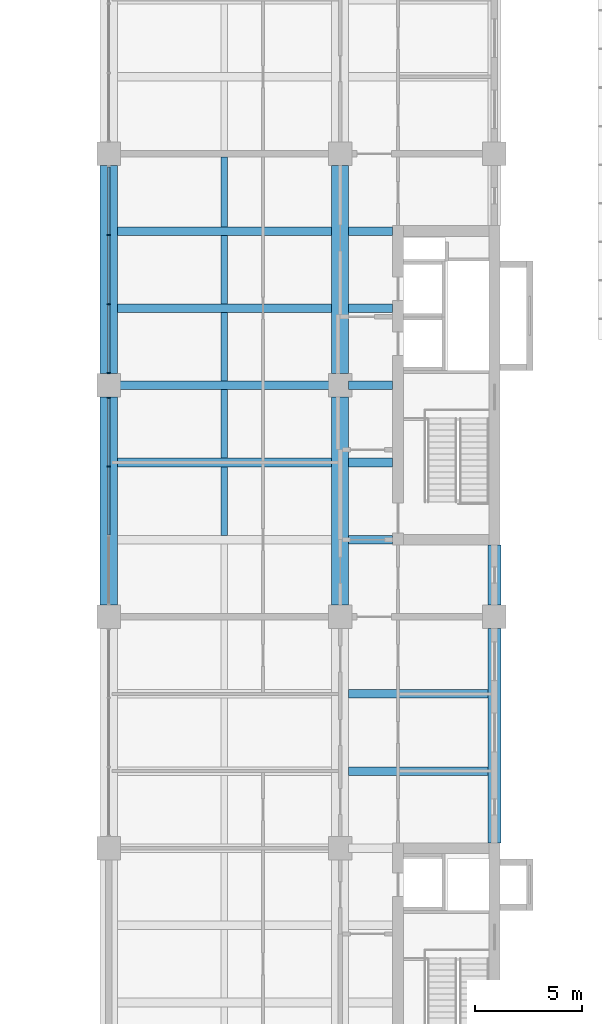
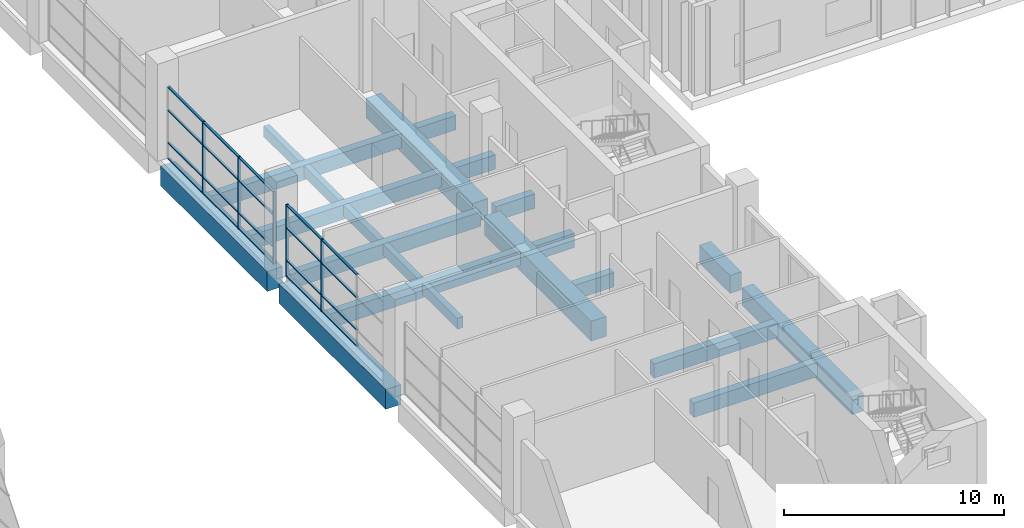
# One storey, part 7 of 32: 25 members, 22 beams, 2 elements without a shape of their own.
"""IFC4 building model written with IfcOpenShell, lengths in metres."""

from ifc_helpers import new_model, si_unit, direction, frame, origin, origin_2d, place, context, subcontext, project, spatial, rectangle, extrude, material, layer, layer_set, material_profile, profile_set, type_object, element, aggregate, save


model = new_model("IFC4")

# Units and contexts
model_context = context("Model", 3, precision=1e-05, world=origin(), true_north=direction((0.0, 1.0)))
body_context = subcontext(model_context, "Body", "Model", "MODEL_VIEW")
ifc_project = project(units=[si_unit("LENGTHUNIT", "METRE"), si_unit("AREAUNIT", "SQUARE_METRE"), si_unit("VOLUMEUNIT", "CUBIC_METRE"), si_unit("PLANEANGLEUNIT", "RADIAN"), si_unit("MASSUNIT", "GRAM", prefix="KILO")], contexts=[model_context])

# Site, building, storey
site_placement = place(None, origin())
site = spatial("IfcSite", under=ifc_project, at=site_placement, CompositionType="ELEMENT")
building_placement = place(site_placement, origin())
building = spatial("IfcBuilding", under=site, at=building_placement, Name="Basin Gate Institute", CompositionType="ELEMENT")
storey_placement = place(building_placement, frame((0.0, 0.0, 11.39990234375)))
storey = spatial("IfcBuildingStorey", under=building, at=storey_placement, Name="L02", CompositionType="ELEMENT", Elevation=11.39990234375)

# Beams
ifc_material_1 = material(Name="Concrete 40 MPa", Category="concrete")
ifc_material_profile_1 = material_profile(ifc_material_1, rectangle(XDim=0.39990234375, YDim=0.800048828125, at=origin_2d()), Name="Beam B2 400 x 800")
ifc_profile_set_1 = profile_set([ifc_material_profile_1], Name="Concrete 40 MPa")
beam_type_1 = type_object("IfcBeamType", Name="Beam B2 R180", PredefinedType="BEAM", material=ifc_profile_set_1)
for number, where, z_axis, x_axis, name in (
    (1, (118.5, 49.5, -0.699951171875), (-1.0, 0.0, 0.0), (0.0, -1.0, 0.0), "BEAM/L02/E/OUT/05"),
    (2, (118.5, 53.10009765625, -0.699951171875), (-1.0, 0.0, 0.0), (0.0, -1.0, 0.0), "BEAM/L02/E/OUT/06"),
):
    element("IfcBeam", number, at=place(storey_placement, frame(where, z_axis=z_axis, x_axis=x_axis)), inside=storey, type_object=beam_type_1, material=ifc_profile_set_1, Name=name, PredefinedType="BEAM", context=body_context, shape_type="SweptSolid", body=[
        extrude(rectangle(XDim=0.39990234375, YDim=0.800048828125, at=origin_2d()), origin(), (0.0, 0.0, 1.0), 6.5),
    ])
beam_1_placement = place(storey_placement, frame((114.050048828125, 60.300048828125, -0.699951171875), z_axis=(-1.0, 0.0, 0.0), x_axis=(0.0, -1.0, 0.0)))
element("IfcBeam", 3, at=beam_1_placement, inside=storey, type_object=beam_type_1, material=ifc_profile_set_1, Name="BEAM/L02/E/CORR/08", PredefinedType="BEAM", context=body_context, shape_type="SweptSolid", body=[
    extrude(rectangle(XDim=0.39990234375, YDim=0.800048828125, at=origin_2d()), origin(), (0.0, 0.0, 1.0), 2.050048828125),
])
beam_2_placement = place(storey_placement, frame((111.199951171875, 63.89990234375, -0.699951171875), z_axis=(-1.0, 0.0, 0.0), x_axis=(0.0, -1.0, 0.0)))
element("IfcBeam", 4, at=beam_2_placement, inside=storey, type_object=beam_type_1, material=ifc_profile_set_1, Name="BEAM/L02/E/EW/09", PredefinedType="BEAM", context=body_context, shape_type="SweptSolid", body=[
    extrude(rectangle(XDim=0.39990234375, YDim=0.800048828125, at=origin_2d()), origin(), (0.0, 0.0, 1.0), 10.0),
])
beam_3_placement = place(storey_placement, frame((114.050048828125, 63.89990234375, -0.699951171875), z_axis=(-1.0, 0.0, 0.0), x_axis=(0.0, -1.0, 0.0)))
element("IfcBeam", 5, at=beam_3_placement, inside=storey, type_object=beam_type_1, material=ifc_profile_set_1, Name="BEAM/L02/E/CORR/09", PredefinedType="BEAM", context=body_context, shape_type="SweptSolid", body=[
    extrude(rectangle(XDim=0.39990234375, YDim=0.800048828125, at=origin_2d()), origin(), (0.0, 0.0, 1.0), 2.050048828125),
])
beam_4_placement = place(storey_placement, frame((111.199951171875, 67.5, -0.699951171875), z_axis=(-1.0, 0.0, 0.0), x_axis=(0.0, -1.0, 0.0)))
element("IfcBeam", 6, at=beam_4_placement, inside=storey, type_object=beam_type_1, material=ifc_profile_set_1, Name="BEAM/L02/E/EW/10", PredefinedType="BEAM", context=body_context, shape_type="SweptSolid", body=[
    extrude(rectangle(XDim=0.39990234375, YDim=0.800048828125, at=origin_2d()), origin(), (0.0, 0.0, 1.0), 10.0),
])
beam_5_placement = place(storey_placement, frame((114.050048828125, 67.5, -0.699951171875), z_axis=(-1.0, 0.0, 0.0), x_axis=(0.0, -1.0, 0.0)))
element("IfcBeam", 7, at=beam_5_placement, inside=storey, type_object=beam_type_1, material=ifc_profile_set_1, Name="BEAM/L02/E/CORR/10", PredefinedType="BEAM", context=body_context, shape_type="SweptSolid", body=[
    extrude(rectangle(XDim=0.39990234375, YDim=0.800048828125, at=origin_2d()), origin(), (0.0, 0.0, 1.0), 2.050048828125),
])
beam_6_placement = place(storey_placement, frame((111.199951171875, 71.10009765625, -0.699951171875), z_axis=(-1.0, 0.0, 0.0), x_axis=(0.0, -1.0, 0.0)))
element("IfcBeam", 8, at=beam_6_placement, inside=storey, type_object=beam_type_1, material=ifc_profile_set_1, Name="BEAM/L02/E/EW/11", PredefinedType="BEAM", context=body_context, shape_type="SweptSolid", body=[
    extrude(rectangle(XDim=0.39990234375, YDim=0.800048828125, at=origin_2d()), origin(), (0.0, 0.0, 1.0), 10.0),
])
beam_7_placement = place(storey_placement, frame((114.050048828125, 71.10009765625, -0.699951171875), z_axis=(-1.0, 0.0, 0.0), x_axis=(0.0, -1.0, 0.0)))
element("IfcBeam", 9, at=beam_7_placement, inside=storey, type_object=beam_type_1, material=ifc_profile_set_1, Name="BEAM/L02/E/CORR/11", PredefinedType="BEAM", context=body_context, shape_type="SweptSolid", body=[
    extrude(rectangle(XDim=0.39990234375, YDim=0.800048828125, at=origin_2d()), origin(), (0.0, 0.0, 1.0), 2.050048828125),
])
beam_8_placement = place(storey_placement, frame((111.199951171875, 74.699951171875, -0.699951171875), z_axis=(-1.0, 0.0, 0.0), x_axis=(0.0, -1.0, 0.0)))
element("IfcBeam", 10, at=beam_8_placement, inside=storey, type_object=beam_type_1, material=ifc_profile_set_1, Name="BEAM/L02/E/EW/12", PredefinedType="BEAM", context=body_context, shape_type="SweptSolid", body=[
    extrude(rectangle(XDim=0.39990234375, YDim=0.800048828125, at=origin_2d()), origin(), (0.0, 0.0, 1.0), 10.0),
])
beam_9_placement = place(storey_placement, frame((114.050048828125, 74.699951171875, -0.699951171875), z_axis=(-1.0, 0.0, 0.0), x_axis=(0.0, -1.0, 0.0)))
element("IfcBeam", 11, at=beam_9_placement, inside=storey, type_object=beam_type_1, material=ifc_profile_set_1, Name="BEAM/L02/E/CORR/12", PredefinedType="BEAM", context=body_context, shape_type="SweptSolid", body=[
    extrude(rectangle(XDim=0.39990234375, YDim=0.800048828125, at=origin_2d()), origin(), (0.0, 0.0, 1.0), 2.050048828125),
])
ifc_material_2 = material(Name="Concrete 50 MPa", Category="concrete")
ifc_material_profile_2 = material_profile(ifc_material_2, rectangle(XDim=0.60009765625, YDim=1.0, at=origin_2d()), Name="Edge beam EB2 600 x 1000")
ifc_profile_set_2 = profile_set([ifc_material_profile_2], Name="Concrete 50 MPa")
beam_type_2 = type_object("IfcBeamType", Name="Edge beam EB2 R180", PredefinedType="SPANDREL", material=ifc_profile_set_2)
beam_10_placement = place(storey_placement, frame((118.800048828125, 46.14990234375, -0.7998046875), z_axis=(0.0, 1.0, 0.0), x_axis=(-1.0, 0.0, 0.0)))
element("IfcBeam", 12, at=beam_10_placement, inside=storey, type_object=beam_type_2, material=ifc_profile_set_2, Name="BEAM/L02/E/EDGE/1", PredefinedType="SPANDREL", context=body_context, shape_type="SweptSolid", body=[
    extrude(rectangle(XDim=0.60009765625, YDim=1.0, at=origin_2d()), origin(), (0.0, 0.0, 1.0), 10.0),
])
ifc_material_3 = material(Name="Concrete 50 MPa", Category="concrete")
ifc_material_profile_3 = material_profile(ifc_material_3, rectangle(XDim=0.60009765625, YDim=1.0, at=origin_2d()), Name="Edge return beam EB4 600 x 1000")
ifc_profile_set_3 = profile_set([ifc_material_profile_3], Name="Concrete 50 MPa")
beam_type_3 = type_object("IfcBeamType", Name="Edge return beam EB4 R180", PredefinedType="SPANDREL", material=ifc_profile_set_3)
beam_11_placement = place(storey_placement, frame((118.800048828125, 57.25, -0.7998046875), z_axis=(0.0, 1.0, 0.0), x_axis=(-1.0, 0.0, 0.0)))
element("IfcBeam", 13, at=beam_11_placement, inside=storey, type_object=beam_type_3, material=ifc_profile_set_3, Name="BEAM/L02/E/EDGE/2", PredefinedType="SPANDREL", context=body_context, shape_type="SweptSolid", body=[
    extrude(rectangle(XDim=0.60009765625, YDim=1.0, at=origin_2d()), origin(), (0.0, 0.0, 1.0), 2.800048828125),
])
ifc_material_4 = material(Name="Concrete 50 MPa", Category="concrete")
ifc_material_profile_4 = material_profile(ifc_material_4, rectangle(XDim=0.800048828125, YDim=1.10009765625, at=origin_2d()), Name="Girder G2 800 x 1100")
ifc_profile_set_4 = profile_set([ifc_material_profile_4], Name="Concrete 50 MPa")
beam_type_4 = type_object("IfcBeamType", Name="Girder G2 R180", PredefinedType="BEAM", material=ifc_profile_set_4)
for number, where, z_axis, x_axis, name in (
    (14, (111.60009765625, 57.25, -0.849853515625), (0.0, 1.0, 0.0), (-1.0, 0.0, 0.0), "GIR/L02/E8/3"),
    (15, (111.60009765625, 68.050048828125, -0.849853515625), (0.0, 1.0, 0.0), (-1.0, 0.0, 0.0), "GIR/L02/E8/4"),
    (16, (100.800048828125, 57.25, -0.849853515625), (0.0, 1.0, 0.0), (-1.0, 0.0, 0.0), "GIR/L02/E7/3"),
    (17, (100.800048828125, 68.050048828125, -0.849853515625), (0.0, 1.0, 0.0), (-1.0, 0.0, 0.0), "GIR/L02/E7/4"),
):
    element("IfcBeam", number, at=place(storey_placement, frame(where, z_axis=z_axis, x_axis=x_axis)), inside=storey, type_object=beam_type_4, material=ifc_profile_set_4, Name=name, PredefinedType="BEAM", context=body_context, shape_type="SweptSolid", body=[
        extrude(rectangle(XDim=0.800048828125, YDim=1.10009765625, at=origin_2d()), origin(), (0.0, 0.0, 1.0), 9.699951171875),
    ])

# Curtain wall, members
ifc_material_5 = material(Name="Fire-resistant glazing in steel-free frame", Category="steel")
ifc_layer = layer(ifc_material_5, 0.199951171875)
ifc_layer_set = layer_set([ifc_layer], Name="Fire-resistant glazing in steel-free frame")
curtain_wall_type = type_object("IfcCurtainWallType", Name="Atrium rated curtain wall CW3", PredefinedType="NOTDEFINED", material=ifc_layer_set)
curtain_wall_1_placement = place(storey_placement, origin())
curtain_wall_1 = element("IfcCurtainWall", 18, at=curtain_wall_1_placement, inside=storey, type_object=curtain_wall_type, material=ifc_layer_set, Name="Atrium rated curtain wall E wing atrium bay 3 L02", PredefinedType="NOTDEFINED")
ifc_material_6 = material(Name="Aluminium", Category="aluminium")
ifc_material_profile_5 = material_profile(ifc_material_6, rectangle(XDim=0.14990234375, YDim=0.06005859375, at=origin_2d()), Name="Mullion MU3 150 x 60")
ifc_profile_set_5 = profile_set([ifc_material_profile_5], Name="Aluminium")
member_type_1 = type_object("IfcMemberType", Name="Mullion MU3", PredefinedType="MULLION", material=ifc_profile_set_5)
member_1_placement = place(storey_placement, frame((100.800048828125, 63.716552734375, 0.0), z_axis=(0.0, 0.0, 1.0), x_axis=(-1.0, 0.0, 0.0)))
member_1 = element("IfcMember", 19, at=member_1_placement, type_object=member_type_1, material=ifc_profile_set_5, Name="CW3 mullion 3", PredefinedType="MULLION", context=body_context, shape_type="SweptSolid", body=[
    extrude(rectangle(XDim=0.14990234375, YDim=0.06005859375, at=origin_2d()), origin(), (0.0, 0.0, 1.0), 4.0),
])
member_2_placement = place(storey_placement, frame((100.800048828125, 66.919921875, 0.0), z_axis=(0.0, 0.0, 1.0), x_axis=(-1.0, 0.0, 0.0)))
member_2 = element("IfcMember", 20, at=member_2_placement, type_object=member_type_1, material=ifc_profile_set_5, Name="CW3 mullion 4", PredefinedType="MULLION", context=body_context, shape_type="SweptSolid", body=[
    extrude(rectangle(XDim=0.14990234375, YDim=0.06005859375, at=origin_2d()), origin(), (0.0, 0.0, 1.0), 4.0),
])

curtain_wall_2_placement = place(storey_placement, origin())
curtain_wall_2 = element("IfcCurtainWall", 21, at=curtain_wall_2_placement, inside=storey, type_object=curtain_wall_type, material=ifc_layer_set, Name="Atrium rated curtain wall E wing atrium bay 4 L02", PredefinedType="NOTDEFINED")
member_3_placement = place(storey_placement, frame((100.800048828125, 68.080078125, 0.0), z_axis=(0.0, 0.0, 1.0), x_axis=(-1.0, 0.0, 0.0)))
member_3 = element("IfcMember", 22, at=member_3_placement, type_object=member_type_1, material=ifc_profile_set_5, Name="CW3 mullion 1", PredefinedType="MULLION", context=body_context, shape_type="SweptSolid", body=[
    extrude(rectangle(XDim=0.14990234375, YDim=0.06005859375, at=origin_2d()), origin(), (0.0, 0.0, 1.0), 4.0),
])
member_4_placement = place(storey_placement, frame((100.800048828125, 71.283447265625, 0.0), z_axis=(0.0, 0.0, 1.0), x_axis=(-1.0, 0.0, 0.0)))
member_4 = element("IfcMember", 23, at=member_4_placement, type_object=member_type_1, material=ifc_profile_set_5, Name="CW3 mullion 2", PredefinedType="MULLION", context=body_context, shape_type="SweptSolid", body=[
    extrude(rectangle(XDim=0.14990234375, YDim=0.06005859375, at=origin_2d()), origin(), (0.0, 0.0, 1.0), 4.0),
])
member_5_placement = place(storey_placement, frame((100.800048828125, 74.5166015625, 0.0), z_axis=(0.0, 0.0, 1.0), x_axis=(-1.0, 0.0, 0.0)))
member_5 = element("IfcMember", 24, at=member_5_placement, type_object=member_type_1, material=ifc_profile_set_5, Name="CW3 mullion 3", PredefinedType="MULLION", context=body_context, shape_type="SweptSolid", body=[
    extrude(rectangle(XDim=0.14990234375, YDim=0.06005859375, at=origin_2d()), origin(), (0.0, 0.0, 1.0), 4.0),
])

# Beams
ifc_material_7 = material(Name="Concrete 40 MPa", Category="concrete")
ifc_material_profile_6 = material_profile(ifc_material_7, rectangle(XDim=0.300048828125, YDim=0.60009765625, at=origin_2d()), Name="Rib R2 300 x 600")
ifc_profile_set_6 = profile_set([ifc_material_profile_6], Name="Concrete 40 MPa")
beam_type_5 = type_object("IfcBeamType", Name="Rib R2 R180", PredefinedType="JOIST", material=ifc_profile_set_6)
for number, where, z_axis, x_axis, name in (
    (25, (106.199951171875, 60.5, -0.599853515625), (0.0, 1.0, 0.0), (-1.0, 0.0, 0.0), "BEAM/L02/E/RIB/08"),
    (26, (106.199951171875, 64.10009765625, -0.599853515625), (0.0, 1.0, 0.0), (-1.0, 0.0, 0.0), "BEAM/L02/E/RIB/09"),
    (27, (106.199951171875, 67.699951171875, -0.599853515625), (0.0, 1.0, 0.0), (-1.0, 0.0, 0.0), "BEAM/L02/E/RIB/10"),
    (28, (106.199951171875, 71.300048828125, -0.599853515625), (0.0, 1.0, 0.0), (-1.0, 0.0, 0.0), "BEAM/L02/E/RIB/11"),
):
    element("IfcBeam", number, at=place(storey_placement, frame(where, z_axis=z_axis, x_axis=x_axis)), inside=storey, type_object=beam_type_5, material=ifc_profile_set_6, Name=name, PredefinedType="JOIST", context=body_context, shape_type="SweptSolid", body=[
        extrude(rectangle(XDim=0.300048828125, YDim=0.60009765625, at=origin_2d()), origin(), (0.0, 0.0, 1.0), 3.199951171875),
    ])
beam_12_placement = place(storey_placement, frame((106.199951171875, 74.89990234375, -0.599853515625), z_axis=(0.0, 1.0, 0.0), x_axis=(-1.0, 0.0, 0.0)))
element("IfcBeam", 29, at=beam_12_placement, inside=storey, type_object=beam_type_5, material=ifc_profile_set_6, Name="BEAM/L02/E/RIB/12", PredefinedType="JOIST", context=body_context, shape_type="SweptSolid", body=[
    extrude(rectangle(XDim=0.300048828125, YDim=0.60009765625, at=origin_2d()), origin(), (0.0, 0.0, 1.0), 3.25),
])

# Member
ifc_material_8 = material(Name="Aluminium", Category="aluminium")
ifc_material_profile_7 = material_profile(ifc_material_8, rectangle(XDim=0.1201171875, YDim=0.06005859375, at=origin_2d()), Name="Transom TR3 120 x 60")
ifc_profile_set_7 = profile_set([ifc_material_profile_7], Name="Aluminium")
member_type_2 = type_object("IfcMemberType", Name="Transom TR3", PredefinedType="USERDEFINED", material=ifc_profile_set_7)
member_6_placement = place(storey_placement, frame((100.800048828125, 60.513427734375, 0.030029296875), z_axis=(0.0, 1.0, 0.0), x_axis=(-1.0, 0.0, 0.0)))
member_6 = element("IfcMember", 30, at=member_6_placement, type_object=member_type_2, material=ifc_profile_set_7, Name="CW3 transom 2.1", ObjectType="TRANSOM", PredefinedType="USERDEFINED", context=body_context, shape_type="SweptSolid", body=[
    extrude(rectangle(XDim=0.1201171875, YDim=0.06005859375, at=origin_2d()), origin(), (0.0, 0.0, 1.0), 3.17333984375),
])

member_7_placement = place(storey_placement, frame((100.800048828125, 60.513427734375, 0.900146484375), z_axis=(0.0, 1.0, 0.0), x_axis=(-1.0, 0.0, 0.0)))
member_7 = element("IfcMember", 31, at=member_7_placement, type_object=member_type_2, material=ifc_profile_set_7, Name="CW3 transom 2.2", ObjectType="TRANSOM", PredefinedType="USERDEFINED", context=body_context, shape_type="SweptSolid", body=[
    extrude(rectangle(XDim=0.1201171875, YDim=0.06005859375, at=origin_2d()), origin(), (0.0, 0.0, 1.0), 3.17333984375),
])

member_8_placement = place(storey_placement, frame((100.800048828125, 60.513427734375, 2.7001953125), z_axis=(0.0, 1.0, 0.0), x_axis=(-1.0, 0.0, 0.0)))
member_8 = element("IfcMember", 32, at=member_8_placement, type_object=member_type_2, material=ifc_profile_set_7, Name="CW3 transom 2.3", ObjectType="TRANSOM", PredefinedType="USERDEFINED", context=body_context, shape_type="SweptSolid", body=[
    extrude(rectangle(XDim=0.1201171875, YDim=0.06005859375, at=origin_2d()), origin(), (0.0, 0.0, 1.0), 3.17333984375),
])

member_9_placement = place(storey_placement, frame((100.800048828125, 60.513427734375, 3.97021484375), z_axis=(0.0, 1.0, 0.0), x_axis=(-1.0, 0.0, 0.0)))
member_9 = element("IfcMember", 33, at=member_9_placement, type_object=member_type_2, material=ifc_profile_set_7, Name="CW3 transom 2.4", ObjectType="TRANSOM", PredefinedType="USERDEFINED", context=body_context, shape_type="SweptSolid", body=[
    extrude(rectangle(XDim=0.1201171875, YDim=0.06005859375, at=origin_2d()), origin(), (0.0, 0.0, 1.0), 3.17333984375),
])

member_10_placement = place(storey_placement, frame((100.800048828125, 63.74658203125, 0.030029296875), z_axis=(0.0, 1.0, 0.0), x_axis=(-1.0, 0.0, 0.0)))
member_10 = element("IfcMember", 34, at=member_10_placement, type_object=member_type_2, material=ifc_profile_set_7, Name="CW3 transom 3.1", ObjectType="TRANSOM", PredefinedType="USERDEFINED", context=body_context, shape_type="SweptSolid", body=[
    extrude(rectangle(XDim=0.1201171875, YDim=0.06005859375, at=origin_2d()), origin(), (0.0, 0.0, 1.0), 3.143310546875),
])

member_11_placement = place(storey_placement, frame((100.800048828125, 63.74658203125, 0.900146484375), z_axis=(0.0, 1.0, 0.0), x_axis=(-1.0, 0.0, 0.0)))
member_11 = element("IfcMember", 35, at=member_11_placement, type_object=member_type_2, material=ifc_profile_set_7, Name="CW3 transom 3.2", ObjectType="TRANSOM", PredefinedType="USERDEFINED", context=body_context, shape_type="SweptSolid", body=[
    extrude(rectangle(XDim=0.1201171875, YDim=0.06005859375, at=origin_2d()), origin(), (0.0, 0.0, 1.0), 3.143310546875),
])

member_12_placement = place(storey_placement, frame((100.800048828125, 63.74658203125, 2.7001953125), z_axis=(0.0, 1.0, 0.0), x_axis=(-1.0, 0.0, 0.0)))
member_12 = element("IfcMember", 36, at=member_12_placement, type_object=member_type_2, material=ifc_profile_set_7, Name="CW3 transom 3.3", ObjectType="TRANSOM", PredefinedType="USERDEFINED", context=body_context, shape_type="SweptSolid", body=[
    extrude(rectangle(XDim=0.1201171875, YDim=0.06005859375, at=origin_2d()), origin(), (0.0, 0.0, 1.0), 3.143310546875),
])

member_13_placement = place(storey_placement, frame((100.800048828125, 63.74658203125, 3.97021484375), z_axis=(0.0, 1.0, 0.0), x_axis=(-1.0, 0.0, 0.0)))
member_13 = element("IfcMember", 37, at=member_13_placement, type_object=member_type_2, material=ifc_profile_set_7, Name="CW3 transom 3.4", ObjectType="TRANSOM", PredefinedType="USERDEFINED", context=body_context, shape_type="SweptSolid", body=[
    extrude(rectangle(XDim=0.1201171875, YDim=0.06005859375, at=origin_2d()), origin(), (0.0, 0.0, 1.0), 3.143310546875),
])

aggregate(curtain_wall_1, [member_1, member_2, member_6, member_7, member_8, member_9, member_10, member_11, member_12, member_13])

member_14_placement = place(storey_placement, frame((100.800048828125, 68.110107421875, 0.030029296875), z_axis=(0.0, 1.0, 0.0), x_axis=(-1.0, 0.0, 0.0)))
member_14 = element("IfcMember", 38, at=member_14_placement, type_object=member_type_2, material=ifc_profile_set_7, Name="CW3 transom 1.1", ObjectType="TRANSOM", PredefinedType="USERDEFINED", context=body_context, shape_type="SweptSolid", body=[
    extrude(rectangle(XDim=0.1201171875, YDim=0.06005859375, at=origin_2d()), origin(), (0.0, 0.0, 1.0), 3.143310546875),
])

member_15_placement = place(storey_placement, frame((100.800048828125, 68.110107421875, 0.900146484375), z_axis=(0.0, 1.0, 0.0), x_axis=(-1.0, 0.0, 0.0)))
member_15 = element("IfcMember", 39, at=member_15_placement, type_object=member_type_2, material=ifc_profile_set_7, Name="CW3 transom 1.2", ObjectType="TRANSOM", PredefinedType="USERDEFINED", context=body_context, shape_type="SweptSolid", body=[
    extrude(rectangle(XDim=0.1201171875, YDim=0.06005859375, at=origin_2d()), origin(), (0.0, 0.0, 1.0), 3.143310546875),
])

member_16_placement = place(storey_placement, frame((100.800048828125, 68.110107421875, 2.7001953125), z_axis=(0.0, 1.0, 0.0), x_axis=(-1.0, 0.0, 0.0)))
member_16 = element("IfcMember", 40, at=member_16_placement, type_object=member_type_2, material=ifc_profile_set_7, Name="CW3 transom 1.3", ObjectType="TRANSOM", PredefinedType="USERDEFINED", context=body_context, shape_type="SweptSolid", body=[
    extrude(rectangle(XDim=0.1201171875, YDim=0.06005859375, at=origin_2d()), origin(), (0.0, 0.0, 1.0), 3.143310546875),
])

member_17_placement = place(storey_placement, frame((100.800048828125, 68.110107421875, 3.97021484375), z_axis=(0.0, 1.0, 0.0), x_axis=(-1.0, 0.0, 0.0)))
member_17 = element("IfcMember", 41, at=member_17_placement, type_object=member_type_2, material=ifc_profile_set_7, Name="CW3 transom 1.4", ObjectType="TRANSOM", PredefinedType="USERDEFINED", context=body_context, shape_type="SweptSolid", body=[
    extrude(rectangle(XDim=0.1201171875, YDim=0.06005859375, at=origin_2d()), origin(), (0.0, 0.0, 1.0), 3.143310546875),
])

member_18_placement = place(storey_placement, frame((100.800048828125, 71.313232421875, 0.030029296875), z_axis=(0.0, 1.0, 0.0), x_axis=(-1.0, 0.0, 0.0)))
member_18 = element("IfcMember", 42, at=member_18_placement, type_object=member_type_2, material=ifc_profile_set_7, Name="CW3 transom 2.1", ObjectType="TRANSOM", PredefinedType="USERDEFINED", context=body_context, shape_type="SweptSolid", body=[
    extrude(rectangle(XDim=0.1201171875, YDim=0.06005859375, at=origin_2d()), origin(), (0.0, 0.0, 1.0), 3.17333984375),
])

member_19_placement = place(storey_placement, frame((100.800048828125, 71.313232421875, 0.900146484375), z_axis=(0.0, 1.0, 0.0), x_axis=(-1.0, 0.0, 0.0)))
member_19 = element("IfcMember", 43, at=member_19_placement, type_object=member_type_2, material=ifc_profile_set_7, Name="CW3 transom 2.2", ObjectType="TRANSOM", PredefinedType="USERDEFINED", context=body_context, shape_type="SweptSolid", body=[
    extrude(rectangle(XDim=0.1201171875, YDim=0.06005859375, at=origin_2d()), origin(), (0.0, 0.0, 1.0), 3.17333984375),
])

member_20_placement = place(storey_placement, frame((100.800048828125, 71.313232421875, 2.7001953125), z_axis=(0.0, 1.0, 0.0), x_axis=(-1.0, 0.0, 0.0)))
member_20 = element("IfcMember", 44, at=member_20_placement, type_object=member_type_2, material=ifc_profile_set_7, Name="CW3 transom 2.3", ObjectType="TRANSOM", PredefinedType="USERDEFINED", context=body_context, shape_type="SweptSolid", body=[
    extrude(rectangle(XDim=0.1201171875, YDim=0.06005859375, at=origin_2d()), origin(), (0.0, 0.0, 1.0), 3.17333984375),
])

member_21_placement = place(storey_placement, frame((100.800048828125, 71.313232421875, 3.97021484375), z_axis=(0.0, 1.0, 0.0), x_axis=(-1.0, 0.0, 0.0)))
member_21 = element("IfcMember", 45, at=member_21_placement, type_object=member_type_2, material=ifc_profile_set_7, Name="CW3 transom 2.4", ObjectType="TRANSOM", PredefinedType="USERDEFINED", context=body_context, shape_type="SweptSolid", body=[
    extrude(rectangle(XDim=0.1201171875, YDim=0.06005859375, at=origin_2d()), origin(), (0.0, 0.0, 1.0), 3.17333984375),
])

member_22_placement = place(storey_placement, frame((100.800048828125, 74.546630859375, 0.030029296875), z_axis=(0.0, 1.0, 0.0), x_axis=(-1.0, 0.0, 0.0)))
member_22 = element("IfcMember", 46, at=member_22_placement, type_object=member_type_2, material=ifc_profile_set_7, Name="CW3 transom 3.1", ObjectType="TRANSOM", PredefinedType="USERDEFINED", context=body_context, shape_type="SweptSolid", body=[
    extrude(rectangle(XDim=0.1201171875, YDim=0.06005859375, at=origin_2d()), origin(), (0.0, 0.0, 1.0), 3.143310546875),
])

member_23_placement = place(storey_placement, frame((100.800048828125, 74.546630859375, 0.900146484375), z_axis=(0.0, 1.0, 0.0), x_axis=(-1.0, 0.0, 0.0)))
member_23 = element("IfcMember", 47, at=member_23_placement, type_object=member_type_2, material=ifc_profile_set_7, Name="CW3 transom 3.2", ObjectType="TRANSOM", PredefinedType="USERDEFINED", context=body_context, shape_type="SweptSolid", body=[
    extrude(rectangle(XDim=0.1201171875, YDim=0.06005859375, at=origin_2d()), origin(), (0.0, 0.0, 1.0), 3.143310546875),
])

member_24_placement = place(storey_placement, frame((100.800048828125, 74.546630859375, 2.7001953125), z_axis=(0.0, 1.0, 0.0), x_axis=(-1.0, 0.0, 0.0)))
member_24 = element("IfcMember", 48, at=member_24_placement, type_object=member_type_2, material=ifc_profile_set_7, Name="CW3 transom 3.3", ObjectType="TRANSOM", PredefinedType="USERDEFINED", context=body_context, shape_type="SweptSolid", body=[
    extrude(rectangle(XDim=0.1201171875, YDim=0.06005859375, at=origin_2d()), origin(), (0.0, 0.0, 1.0), 3.143310546875),
])

member_25_placement = place(storey_placement, frame((100.800048828125, 74.546630859375, 3.97021484375), z_axis=(0.0, 1.0, 0.0), x_axis=(-1.0, 0.0, 0.0)))
member_25 = element("IfcMember", 49, at=member_25_placement, type_object=member_type_2, material=ifc_profile_set_7, Name="CW3 transom 3.4", ObjectType="TRANSOM", PredefinedType="USERDEFINED", context=body_context, shape_type="SweptSolid", body=[
    extrude(rectangle(XDim=0.1201171875, YDim=0.06005859375, at=origin_2d()), origin(), (0.0, 0.0, 1.0), 3.143310546875),
])

aggregate(curtain_wall_2, [member_3, member_4, member_5, member_14, member_15, member_16, member_17, member_18, member_19, member_20, member_21, member_22, member_23, member_24, member_25])

save(model, "model.ifc")
